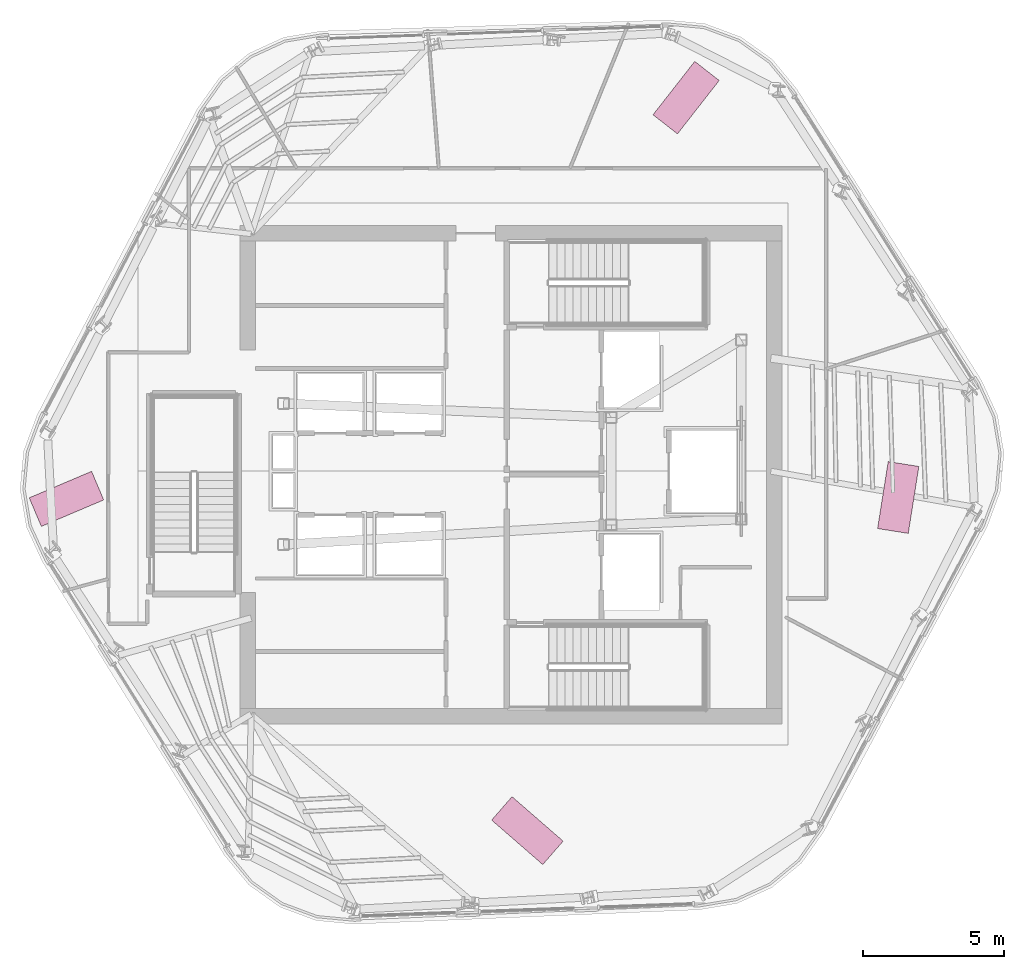
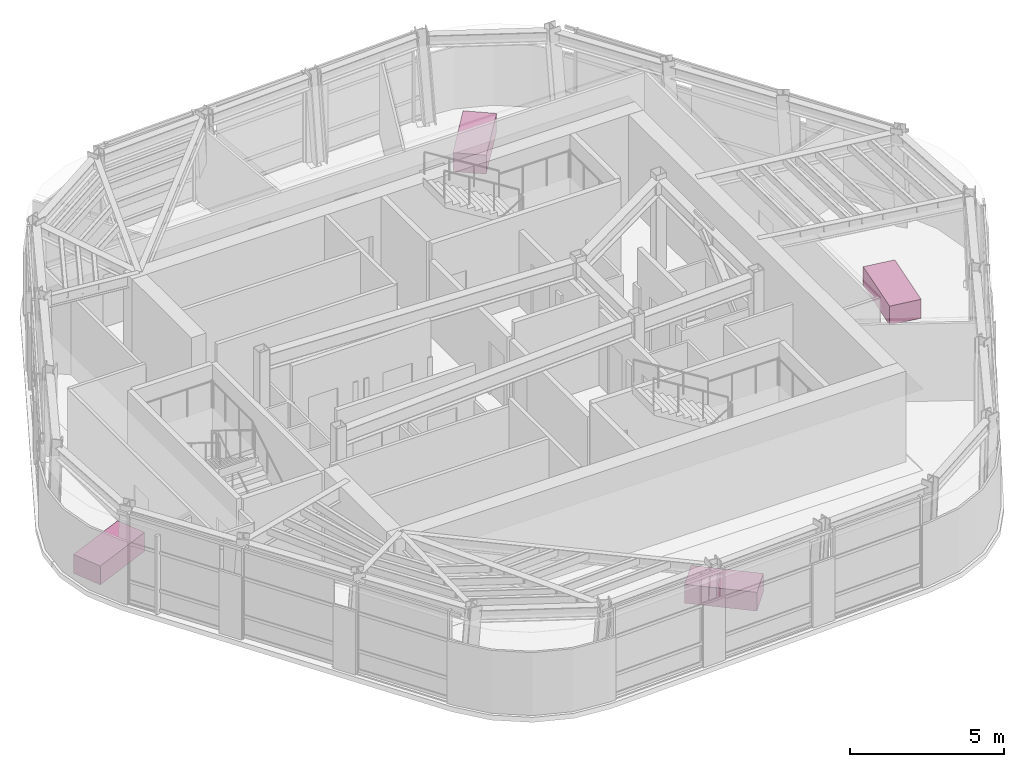
# One storey, part 13 of 13: 4 furniture elements.
"""IFC4 building model written with IfcOpenShell, lengths in metres."""

from ifc_helpers import new_model, si_unit, direction, frame, origin, origin_2d, place, context, subcontext, project, spatial, rectangle, extrude, material, type_object, element, save


model = new_model("IFC4")

# Units and contexts
model_context = context("Model", 3, precision=1e-05, world=origin(), true_north=direction((0.0, 1.0)))
body_context = subcontext(model_context, "Body", "Model", "MODEL_VIEW")
ifc_project = project(units=[si_unit("LENGTHUNIT", "METRE"), si_unit("AREAUNIT", "SQUARE_METRE"), si_unit("VOLUMEUNIT", "CUBIC_METRE"), si_unit("PLANEANGLEUNIT", "RADIAN"), si_unit("MASSUNIT", "GRAM", prefix="KILO")], contexts=[model_context])

# Site, building, storey
site_placement = place(None, origin())
site = spatial("IfcSite", under=ifc_project, at=site_placement, CompositionType="ELEMENT")
building_placement = place(site_placement, origin())
building = spatial("IfcBuilding", under=site, at=building_placement, Name="Valkerne Bourse Tower", CompositionType="ELEMENT")
storey_placement = place(building_placement, frame((0.0, 0.0, 292.60009765625)))
storey = spatial("IfcBuildingStorey", under=building, at=storey_placement, Name="L74", CompositionType="ELEMENT", Elevation=292.60009765625)

# Furniture
ifc_material = material(Name="Architectural White Oak Timber", Category="wood")
furniture_type = type_object("IfcFurnitureType", Name="FURN-DESK-2400", AssemblyPlace="NOTDEFINED", PredefinedType="DESK", material=ifc_material)
for number, where, z_axis, x_axis, name in (
    (1, (31.06103515625, 26.02001953125, 0.044921875), (0.0, 0.0, 1.0), (0.920504853452, 0.390731128489, 0.0), "L74 Suite Worktable 05"),
    (2, (52.9990234375, 40.22607421875, 0.044921875), (0.0, 0.0, 1.0), (0.615661475326, 0.788010753607, 0.0), "L74 Suite Worktable 06"),
    (3, (60.509033203125, 26.069091796875, 0.044921875), (0.0, 0.0, 1.0), (0.15643446504, 0.987688340595, 0.0), "L74 Suite Worktable 07"),
    (4, (47.3798828125, 14.27490234375, 0.044921875), (0.0, 0.0, 1.0), (-0.754709580223, 0.656059028991, 0.0), "L74 Suite Worktable 09"),
):
    element("IfcFurniture", number, at=place(storey_placement, frame(where, z_axis=z_axis, x_axis=x_axis)), inside=storey, type_object=furniture_type, Name=name, PredefinedType="DESK", context=body_context, shape_type="SweptSolid", body=[
        extrude(rectangle(XDim=2.39990234375, YDim=1.10009765625, at=origin_2d()), origin(), (0.0, 0.0, 1.0), 0.75),
    ])

save(model, "model.ifc")
